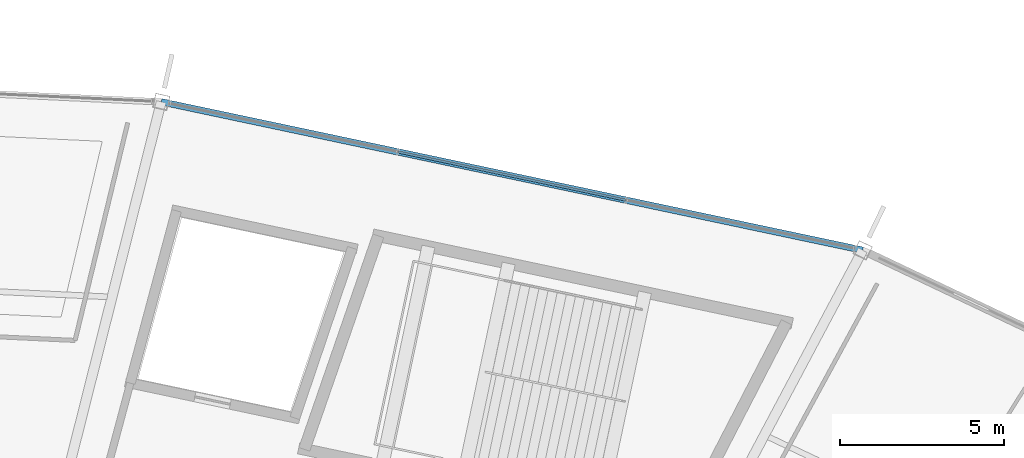
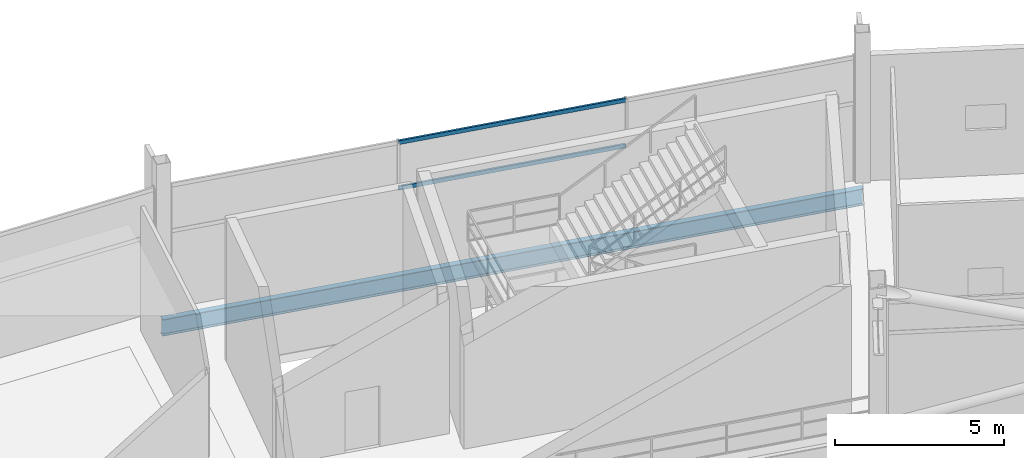
# One storey, part 118 of 186: 2 members, 1 beam, 1 element without a shape of its own.
"""IFC4 building model written with IfcOpenShell, lengths in metres."""

import ifcopenshell
import ifcopenshell.guid

model = None  # the IFC model being written
_history = None  # IfcOwnerHistory: only IFC2X3 demands one
_inside = {}  # id of a spatial element -> (the spatial element, [elements in it])
_under = {}  # id of a project, library or spatial element -> (it, [spatial elements below it])
_declared = {}  # id of a project -> (the project, [libraries it declares])
_typed = {}  # id of a type object -> (the type object, [elements of that type])
_made_of = {}  # id of a material, layer set ... -> (it, [elements and type objects made of it])


def new_model(schema):
    """Start an empty IFC model of exactly this schema.

    Asked for "IFC4X3", IfcOpenShell would pick the latest addendum, in which some entities
    have other attributes; the version numbers below select the first issue.
    IFC2X3 requires an IfcOwnerHistory on every rooted entity: one is made here for all.
    """
    global model, _history
    if schema == "IFC4X3":
        model = ifcopenshell.file(schema_version=(4, 3, 0, 0))
    else:
        model = ifcopenshell.file(schema=schema)
    _inside.clear()
    _under.clear()
    _declared.clear()
    _typed.clear()
    _made_of.clear()
    _history = None
    if model.schema == "IFC2X3":
        org = make("IfcOrganization", Name="unknown")
        user = make(
            "IfcPersonAndOrganization",
            ThePerson=make("IfcPerson", FamilyName="unknown"),
            TheOrganization=org,
        )
        app = make(
            "IfcApplication",
            ApplicationDeveloper=org,
            Version="unknown",
            ApplicationFullName="unknown",
            ApplicationIdentifier="unknown",
        )
        _history = make(
            "IfcOwnerHistory",
            OwningUser=user,
            OwningApplication=app,
            ChangeAction="ADDED",
            CreationDate=0,
        )
    return model


def make(cls, **values):
    """One entity of the class cls with the attributes given. An attribute that is None is left unset."""
    return model.create_entity(
        cls, **{name: value for name, value in values.items() if value is not None}
    )


def rooted(cls, **values):
    """An entity with a GlobalId (a new one), such as an element, a storey or a relation."""
    return make(cls, GlobalId=ifcopenshell.guid.new(), OwnerHistory=_history, **values)


def si_unit(unit_type, name, prefix=None):
    """IfcSIUnit, for example si_unit("LENGTHUNIT", "METRE", prefix="MILLI")."""
    return make("IfcSIUnit", UnitType=unit_type, Prefix=prefix, Name=name)


def assignment(units):
    """IfcUnitAssignment: the units of a project."""
    return None if units is None else make("IfcUnitAssignment", Units=units)


def point(xyz):
    """IfcCartesianPoint."""
    return None if xyz is None else make("IfcCartesianPoint", Coordinates=xyz)


def direction(xyz):
    """IfcDirection."""
    return None if xyz is None else make("IfcDirection", DirectionRatios=xyz)


def frame(location, z_axis=None, x_axis=None):
    """IfcAxis2Placement3D, a coordinate frame: its origin and axes. An axis left out is left unset."""
    return make(
        "IfcAxis2Placement3D",
        Location=point(location),
        Axis=direction(z_axis),
        RefDirection=direction(x_axis),
    )


def frame_2d(location, x_axis=None):
    """IfcAxis2Placement2D, a coordinate frame in the plane: its origin and x axis."""
    return make(
        "IfcAxis2Placement2D", Location=point(location), RefDirection=direction(x_axis)
    )


def origin():
    """The frame at (0, 0, 0) with its axes left unset."""
    return frame((0.0, 0.0, 0.0))


def origin_2d():
    """The frame at (0, 0) in the plane with its x axis left unset."""
    return frame_2d((0.0, 0.0))


def place(relative_to, where):
    """IfcLocalPlacement: puts the frame where relative to a parent placement (None: the world)."""
    return make(
        "IfcLocalPlacement", PlacementRelTo=relative_to, RelativePlacement=where
    )


def context(
    kind, dimensions, precision=None, world=None, true_north=None, identifier=None
):
    """IfcGeometricRepresentationContext, for example the 3D "Model" context."""
    return make(
        "IfcGeometricRepresentationContext",
        ContextIdentifier=identifier,
        ContextType=kind,
        CoordinateSpaceDimension=dimensions,
        Precision=precision,
        WorldCoordinateSystem=world,
        TrueNorth=true_north,
    )


def subcontext(parent, identifier, kind, view, scale=None):
    """IfcGeometricRepresentationSubContext, for example "Body" below "Model"."""
    return make(
        "IfcGeometricRepresentationSubContext",
        ContextIdentifier=identifier,
        ContextType=kind,
        ParentContext=parent,
        TargetScale=scale,
        TargetView=view,
    )


def project(units=None, contexts=None):
    """IfcProject with its units and contexts."""
    return rooted(
        "IfcProject",
        Name="project",
        RepresentationContexts=contexts,
        UnitsInContext=assignment(units),
    )


def spatial(cls, under=None, at=None, **own):
    """A site, building, storey or space (cls), placed at a placement, below another one or the project."""
    s = rooted(cls, ObjectPlacement=at, **own)
    if under is not None:
        _under.setdefault(under.id(), (under, []))[1].append(s)
    return s


def profile(cls, at=None, kind="AREA", **sizes):
    """A parametric profile (cls). Its sizes go by their IFC names, for example OverallWidth=200.0."""
    return make(cls, ProfileType=kind, Position=at, **sizes)


def hollow_rectangle(**sizes):
    """IfcRectangleHollowProfileDef."""
    return profile("IfcRectangleHollowProfileDef", **sizes)


def i_section(**sizes):
    """IfcIShapeProfileDef."""
    return profile("IfcIShapeProfileDef", **sizes)


def extrude(swept, where, along, depth):
    """IfcExtrudedAreaSolid: the profile swept, set in the frame where, extruded along a direction by depth."""
    return make(
        "IfcExtrudedAreaSolid",
        SweptArea=swept,
        Position=where,
        ExtrudedDirection=direction(along),
        Depth=depth,
    )


def shape(context_of_items, identifier, shape_type, items):
    """IfcShapeRepresentation: the items that make up one representation, for example the "Body"."""
    return make(
        "IfcShapeRepresentation",
        ContextOfItems=context_of_items,
        RepresentationIdentifier=identifier,
        RepresentationType=shape_type,
        Items=items,
    )


def material(Name=None, Category=None):
    """IfcMaterial."""
    return make("IfcMaterial", Name=Name, Category=Category)


def layer(
    of_material, thickness, ventilated=None, Name=None, Category=None, Priority=None
):
    """IfcMaterialLayer: one layer of a wall or slab, of a material (None: an air gap)."""
    return make(
        "IfcMaterialLayer",
        Material=of_material,
        LayerThickness=thickness,
        IsVentilated=ventilated,
        Name=Name,
        Category=Category,
        Priority=Priority,
    )


def layer_set(layers, Name=None):
    """IfcMaterialLayerSet."""
    return make("IfcMaterialLayerSet", MaterialLayers=layers, LayerSetName=Name)


def material_profile(
    of_material, cross_section, Name=None, Category=None, Priority=None
):
    """IfcMaterialProfile: a cross section and its material."""
    return make(
        "IfcMaterialProfile",
        Name=Name,
        Material=of_material,
        Profile=cross_section,
        Priority=Priority,
        Category=Category,
    )


def profile_set(profiles, Name=None, composite=None):
    """IfcMaterialProfileSet."""
    return make(
        "IfcMaterialProfileSet",
        Name=Name,
        MaterialProfiles=profiles,
        CompositeProfile=composite,
    )


def made_of(thing, what):
    """Note that an element or type object is made of a material, layer set ...; save() writes the relation."""
    if what is not None:
        _made_of.setdefault(what.id(), (what, []))[1].append(thing)
    return thing


def type_object(cls, material=None, **own):
    """A type object (cls), such as IfcWallType, which elements share."""
    return made_of(rooted(cls, **own), material)


def element(
    cls,
    number,
    at=None,
    inside=None,
    cuts=None,
    type_object=None,
    material=None,
    context=None,
    identifier="Body",
    shape_type=None,
    held_by="IfcProductDefinitionShape",
    body=None,
    shapes=None,
    **own,
):
    """One element of the class cls, such as IfcWall. Its Tag is "e" and its number.

    at: its placement. inside: the storey or other place that contains it. cuts: it is an
    opening in that element (IfcRelVoidsElement). A single representation is given by context,
    identifier, shape_type and body (its items); several are given by shapes. held_by: the class
    of the entity that holds the representations. save() writes the other relations.
    """
    e = rooted(cls, Tag="e%d" % number, ObjectPlacement=at, **own)
    if body is not None:
        shapes = [shape(context, identifier, shape_type, body)]
    if shapes is not None:
        e.Representation = make(held_by, Representations=shapes)
    if inside is not None:
        _inside.setdefault(inside.id(), (inside, []))[1].append(e)
    if cuts is not None:
        rooted(
            "IfcRelVoidsElement", RelatingBuildingElement=cuts, RelatedOpeningElement=e
        )
    if type_object is not None:
        _typed.setdefault(type_object.id(), (type_object, []))[1].append(e)
    return made_of(e, material)


def aggregate(whole, parts):
    """IfcRelAggregates: a whole, such as a stair, and the parts it consists of."""
    return rooted("IfcRelAggregates", RelatingObject=whole, RelatedObjects=parts)


def save(model, path):
    """Write the relations noted so far, then the file.

    IfcRelAggregates (storeys below a building ...), IfcRelContainedInSpatialStructure (elements
    in a storey), IfcRelDefinesByType, IfcRelAssociatesMaterial and IfcRelDeclares: one each for
    every whole, place, type object, material and project.
    """
    for whole, parts in _under.values():
        aggregate(whole, parts)
    for where, things in _inside.values():
        rooted(
            "IfcRelContainedInSpatialStructure",
            RelatedElements=things,
            RelatingStructure=where,
        )
    for kind, things in _typed.values():
        rooted("IfcRelDefinesByType", RelatedObjects=things, RelatingType=kind)
    for what, things in _made_of.values():
        rooted("IfcRelAssociatesMaterial", RelatedObjects=things, RelatingMaterial=what)
    for by, libraries in _declared.values():
        rooted("IfcRelDeclares", RelatingContext=by, RelatedDefinitions=libraries)
    model.write(path)


model = new_model("IFC4")

# Units and contexts
model_context = context("Model", 3, precision=1e-05, world=origin(), true_north=direction((0.0, 1.0)))
body_context = subcontext(model_context, "Body", "Model", "MODEL_VIEW")
ifc_project = project(units=[si_unit("LENGTHUNIT", "METRE"), si_unit("AREAUNIT", "SQUARE_METRE"), si_unit("VOLUMEUNIT", "CUBIC_METRE"), si_unit("PLANEANGLEUNIT", "RADIAN"), si_unit("MASSUNIT", "GRAM", prefix="KILO")], contexts=[model_context])

# Site, building, storey
site_placement = place(None, origin())
site = spatial("IfcSite", under=ifc_project, at=site_placement, CompositionType="ELEMENT")
building_placement = place(site_placement, origin())
building = spatial("IfcBuilding", under=site, at=building_placement, Name="Kazemori Nagisa Stadium", CompositionType="ELEMENT")
storey_placement = place(building_placement, frame((0.0, 0.0, 20.39990234375)))
storey = spatial("IfcBuildingStorey", under=building, at=storey_placement, Name="L04", CompositionType="ELEMENT", Elevation=20.39990234375)

# Beam
ifc_material_1 = material(Name="Steel SN490B", Category="steel")
ifc_material_profile_1 = material_profile(ifc_material_1, i_section(OverallWidth=0.199951171875, OverallDepth=0.60009765625, WebThickness=0.010986328125, FlangeThickness=0.01708984375, FilletRadius=0.012939453125, at=origin_2d()), Name="H-600x200x11x17")
ifc_profile_set_1 = profile_set([ifc_material_profile_1], Name="Steel SN490B")
beam_type = type_object("IfcBeamType", Name="Beam_BS-H600", PredefinedType="SPANDREL", material=ifc_profile_set_1)
beam_placement = place(storey_placement, frame((165.8046875, 182.46435546875, -0.599853515625), z_axis=(-0.97834587432, 0.206976689994, 0.0), x_axis=(-0.206976689994, -0.97834587432, 0.0)))
element("IfcBeam", 1, at=beam_placement, inside=storey, type_object=beam_type, Name="Ring girder BS-H600 L04 R3-06", PredefinedType="SPANDREL", context=body_context, shape_type="SweptSolid", body=[
    extrude(i_section(OverallWidth=0.199951171875, OverallDepth=0.60009765625, WebThickness=0.010986328125, FlangeThickness=0.01708984375, FilletRadius=0.012939453125, at=origin_2d()), origin(), (0.0, 0.0, 1.0), 21.85009765625),
])

# Curtain wall, members
ifc_material_2 = material(Name="Anodised aluminium 6063-T5", Category="aluminium")
ifc_layer = layer(ifc_material_2, 0.179931640625, Name="Anodised aluminium 6063-T5", Category="aluminium")
ifc_layer_set = layer_set([ifc_layer], Name="Anodised aluminium 6063-T5")
curtain_wall_type = type_object("IfcCurtainWallType", Name="CW_L04R3_107", PredefinedType="USERDEFINED", material=ifc_layer_set)
curtain_wall_placement = place(storey_placement, origin())
curtain_wall = element("IfcCurtainWall", 2, at=curtain_wall_placement, inside=storey, type_object=curtain_wall_type, Name="Unitised curtain wall CW-L04R3-107 L04", ObjectType="UNITISED CURTAIN WALL", PredefinedType="USERDEFINED")
ifc_material_3 = material(Name="Aluminium 6063-T5 anodised", Category="aluminium")
ifc_material_profile_2 = material_profile(ifc_material_3, hollow_rectangle(XDim=0.070068359375, YDim=0.139892578125, WallThickness=0.00390625, at=origin_2d()), Name="ALU-TRAN-70x140x4")
ifc_profile_set_2 = profile_set([ifc_material_profile_2], Name="Aluminium 6063-T5 anodised")
member_type = type_object("IfcMemberType", Name="Transom_T01", PredefinedType="USERDEFINED", material=ifc_profile_set_2)
member_1_placement = place(storey_placement, frame((158.576416015625, 183.993408203125, 2.80859375), z_axis=(-0.978344595915, 0.206982732721, 0.0), x_axis=(-0.206982732721, -0.978344595915, 0.0)))
member_1 = element("IfcMember", 3, at=member_1_placement, type_object=member_type, Name="Curtain wall transom CW-L04R3-107-T2-mid", ObjectType="TRANSOM", PredefinedType="USERDEFINED", context=body_context, shape_type="SweptSolid", body=[
    extrude(hollow_rectangle(XDim=0.070068359375, YDim=0.139892578125, WallThickness=0.00390625, at=origin_2d()), origin(), (0.0, 0.0, 1.0), 7.073486328125),
])
member_2_placement = place(storey_placement, frame((158.576416015625, 183.993408203125, 4.460205078125), z_axis=(-0.978344595915, 0.206982732721, 0.0), x_axis=(-0.206982732721, -0.978344595915, 0.0)))
member_2 = element("IfcMember", 4, at=member_2_placement, type_object=member_type, Name="Curtain wall transom CW-L04R3-107-T2-head", ObjectType="TRANSOM", PredefinedType="USERDEFINED", context=body_context, shape_type="SweptSolid", body=[
    extrude(hollow_rectangle(XDim=0.070068359375, YDim=0.139892578125, WallThickness=0.00390625, at=origin_2d()), origin(), (0.0, 0.0, 1.0), 7.073486328125),
])
aggregate(curtain_wall, [member_1, member_2])

save(model, "model.ifc")
